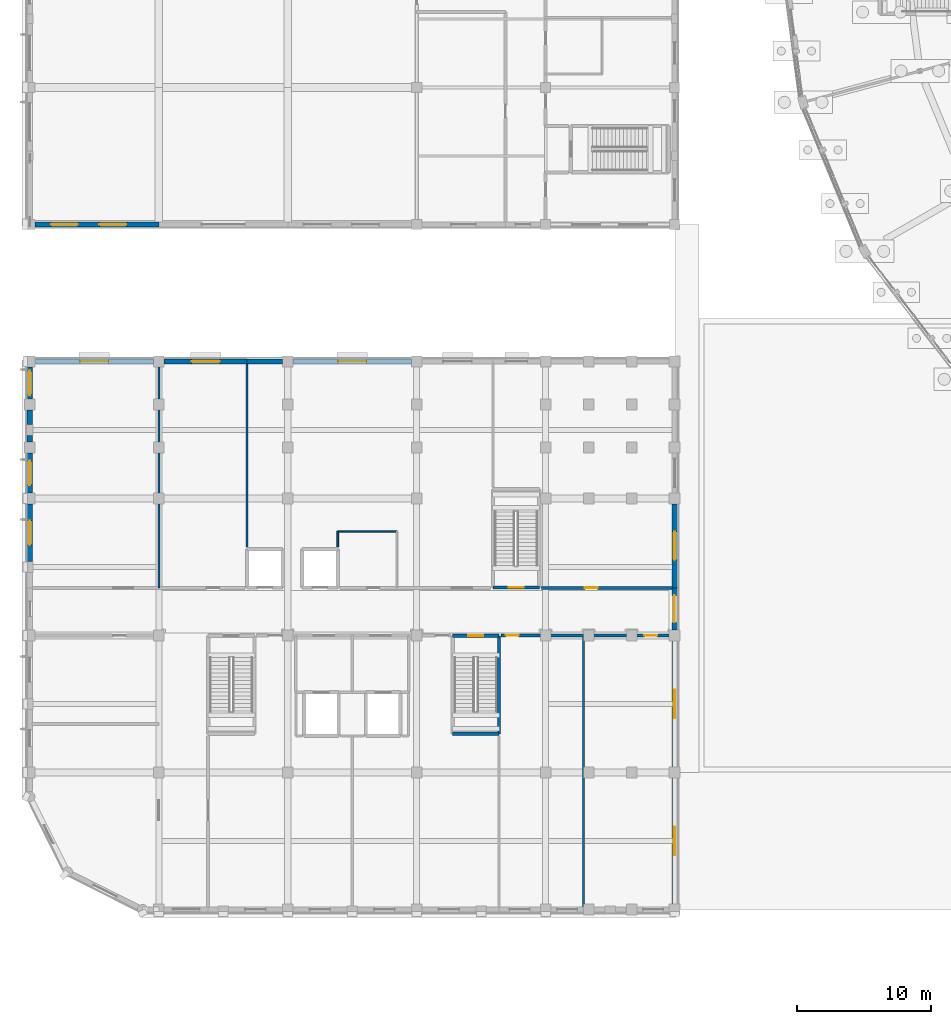
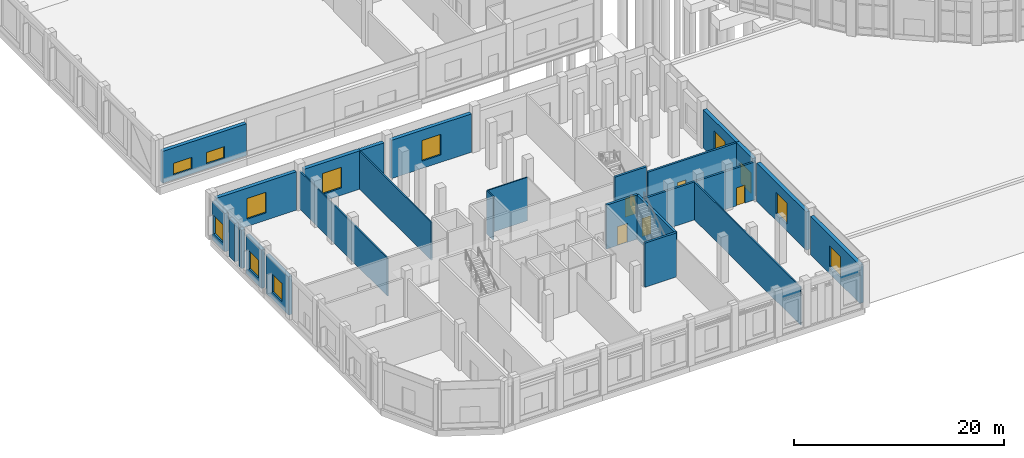
# One storey, part 102 of 137: 25 walls, 11 windows, 6 doors, 17 openings.
"""IFC4 building model written with IfcOpenShell, lengths in metres."""

from ifc_helpers import new_model, si_unit, direction, frame, frame_2d, origin, place, context, subcontext, project, spatial, rectangle, extrude, material, layer, layer_set, type_object, element, fill, save


model = new_model("IFC4")

# Units and contexts
model_context = context("Model", 3, precision=1e-05, world=origin(), true_north=direction((0.0, 1.0)))
body_context = subcontext(model_context, "Body", "Model", "MODEL_VIEW")
ifc_project = project(units=[si_unit("LENGTHUNIT", "METRE"), si_unit("AREAUNIT", "SQUARE_METRE"), si_unit("VOLUMEUNIT", "CUBIC_METRE"), si_unit("PLANEANGLEUNIT", "RADIAN"), si_unit("MASSUNIT", "GRAM", prefix="KILO")], contexts=[model_context])

# Site, building, storey
site_placement = place(None, origin())
site = spatial("IfcSite", under=ifc_project, at=site_placement, CompositionType="ELEMENT")
building_placement = place(site_placement, origin())
building = spatial("IfcBuilding", under=site, at=building_placement, Name="Vondelvale Polytechnic", CompositionType="ELEMENT")
storey_placement = place(building_placement, origin())
storey = spatial("IfcBuildingStorey", under=building, at=storey_placement, Name="L00", CompositionType="ELEMENT", Elevation=0.0)

# Walls
ifc_material_1 = material(Name="Concrete N40 (f'c = 40 MPa)", Category="concrete")
ifc_layer_1 = layer(ifc_material_1, 0.25)
ifc_layer_set_1 = layer_set([ifc_layer_1], Name="WL-CORE-250")
wall_type_1 = type_object("IfcWallType", Name="WL-CORE-250", PredefinedType="SOLIDWALL", material=ifc_layer_set_1)
wall_1_placement = place(storey_placement, frame((31.47509765625, 13.074951171875, 0.0), z_axis=(0.0, 0.0, 1.0), x_axis=(1.0, 0.0, 0.0)))
element("IfcWall", 1, at=wall_1_placement, inside=storey, type_object=wall_type_1, Name="L00 ST-04 reinforced concrete stair core wall", PredefinedType="SOLIDWALL", context=body_context, shape_type="SweptSolid", body=[
    extrude(rectangle(XDim=3.449951171875, YDim=0.25, at=frame_2d((1.72509765625, 0.0))), origin(), (0.0, 0.0, 1.0), 5.1201171875),
])
wall_2_placement = place(storey_placement, frame((34.925048828125, 13.074951171875, 0.0), z_axis=(0.0, 0.0, 1.0), x_axis=(0.0, 1.0, 0.0)))
element("IfcWall", 2, at=wall_2_placement, inside=storey, type_object=wall_type_1, Name="L00 ST-04 reinforced concrete stair core wall", PredefinedType="SOLIDWALL", context=body_context, shape_type="SweptSolid", body=[
    extrude(rectangle(XDim=7.300048828125, YDim=0.25, at=frame_2d((3.64990234375, 0.0))), origin(), (0.0, 0.0, 1.0), 5.1201171875),
])

# Wall, opening, door
wall_3_placement = place(storey_placement, frame((31.47509765625, 20.375, 0.0), z_axis=(0.0, 0.0, 1.0), x_axis=(1.0, 0.0, 0.0)))
wall_3 = element("IfcWall", 3, at=wall_3_placement, inside=storey, type_object=wall_type_1, Name="L00 ST-04 reinforced concrete stair core wall", PredefinedType="SOLIDWALL", context=body_context, shape_type="SweptSolid", body=[
    extrude(rectangle(XDim=3.449951171875, YDim=0.25, at=frame_2d((1.72509765625, 0.0))), origin(), (0.0, 0.0, 1.0), 5.1201171875),
])
opening_1_placement = place(wall_3_placement, frame((1.175048828125, 0.0, 0.0)))
opening_1 = element("IfcOpeningElement", 4, at=opening_1_placement, cuts=wall_3, Name="Opening SD-019", PredefinedType="OPENING", context=body_context, shape_type="SweptSolid", body=[
    extrude(rectangle(XDim=1.10009765625, YDim=2.199951171875, at=frame_2d((0.550048828125, 1.10009765625))), frame((0.0, 0.135009765625, 0.0), z_axis=(0.0, -1.0, 0.0), x_axis=(1.0, 0.0, 0.0)), (0.0, 0.0, 1.0), 0.27001953125),
])
ifc_material_2 = material(Name="Brushed architectural stainless and zinc-coated metal")
door_type_1 = type_object("IfcDoorType", Name="DR-STAIR-1100x2200", OperationType="SINGLE_SWING_LEFT", PredefinedType="DOOR", material=ifc_material_2)
door_1_placement = place(opening_1_placement, origin())
door_1 = element("IfcDoor", 5, at=door_1_placement, inside=storey, type_object=door_type_1, Name="L00 ST-04 fire-isolated stair door", OperationType="SINGLE_SWING_LEFT", OverallHeight=2.199951171875, OverallWidth=1.10009765625, PredefinedType="DOOR", context=body_context, shape_type="SweptSolid", body=[
    extrude(rectangle(XDim=1.10009765625, YDim=2.199951171875, at=frame_2d((0.550048828125, 1.10009765625))), frame((0.0, 0.02490234375, 0.0), z_axis=(0.0, -1.0, 0.0), x_axis=(1.0, 0.0, 0.0)), (0.0, 0.0, 1.0), 0.050048828125),
])
fill(opening_1, door_1)

wall_4_placement = place(storey_placement, frame((37.925048828125, 23.97509765625, 0.0), z_axis=(0.0, 0.0, 1.0), x_axis=(-1.0, 0.0, 0.0)))
wall_4 = element("IfcWall", 6, at=wall_4_placement, inside=storey, type_object=wall_type_1, Name="L00 ST-05 reinforced concrete stair core wall", PredefinedType="SOLIDWALL", context=body_context, shape_type="SweptSolid", body=[
    extrude(rectangle(XDim=3.449951171875, YDim=0.25, at=frame_2d((1.72509765625, 0.0))), origin(), (0.0, 0.0, 1.0), 5.1201171875),
])
opening_2_placement = place(wall_4_placement, frame((1.175048828125, 0.0, 0.0)))
opening_2 = element("IfcOpeningElement", 7, at=opening_2_placement, cuts=wall_4, Name="Opening SD-028", PredefinedType="OPENING", context=body_context, shape_type="SweptSolid", body=[
    extrude(rectangle(XDim=1.10009765625, YDim=2.199951171875, at=frame_2d((0.550048828125, 1.10009765625))), frame((0.0, 0.135009765625, 0.0), z_axis=(0.0, -1.0, 0.0), x_axis=(1.0, 0.0, 0.0)), (0.0, 0.0, 1.0), 0.27001953125),
])
door_2_placement = place(opening_2_placement, origin())
door_2 = element("IfcDoor", 8, at=door_2_placement, inside=storey, type_object=door_type_1, Name="L00 ST-05 fire-isolated stair door", OperationType="SINGLE_SWING_RIGHT", OverallHeight=2.199951171875, OverallWidth=1.10009765625, PredefinedType="DOOR", context=body_context, shape_type="SweptSolid", body=[
    extrude(rectangle(XDim=1.10009765625, YDim=2.199951171875, at=frame_2d((0.550048828125, 1.10009765625))), frame((0.0, 0.02490234375, 0.0), z_axis=(0.0, -1.0, 0.0), x_axis=(1.0, 0.0, 0.0)), (0.0, 0.0, 1.0), 0.050048828125),
])
fill(opening_2, door_2)

# Wall, openings, doors
ifc_material_3 = material(Name="Fire-rated double-layer plasterboard stud partition")
ifc_layer_2 = layer(ifc_material_3, 0.219970703125)
ifc_layer_set_2 = layer_set([ifc_layer_2], Name="WL-CORR-220")
wall_type_2 = type_object("IfcWallType", Name="WL-CORR-220", PredefinedType="PARTITIONING", material=ifc_layer_set_2)
wall_5_placement = place(storey_placement, frame((35.090087890625, 20.39990234375, 0.0), z_axis=(0.0, 0.0, 1.0), x_axis=(1.0, 0.0, 0.0)))
wall_5 = element("IfcWall", 9, at=wall_5_placement, inside=storey, type_object=wall_type_2, Name="L00 interior acoustic partition", PredefinedType="PARTITIONING", context=body_context, shape_type="SweptSolid", body=[
    extrude(rectangle(XDim=12.760009765625, YDim=0.219970703125, at=frame_2d((6.3798828125, 0.0))), origin(), (0.0, 0.0, 1.0), 4.39990234375),
])
opening_3_placement = place(wall_5_placement, frame((0.35498046875, 0.0, 0.0)))
opening_3 = element("IfcOpeningElement", 10, at=opening_3_placement, cuts=wall_5, Name="Opening ID-0142", PredefinedType="OPENING", context=body_context, shape_type="SweptSolid", body=[
    extrude(rectangle(XDim=0.949951171875, YDim=2.10009765625, at=frame_2d((0.47509765625, 1.050048828125))), frame((0.0, 0.119873046875, 0.0), z_axis=(0.0, -1.0, 0.0), x_axis=(1.0, 0.0, 0.0)), (0.0, 0.0, 1.0), 0.239990234375),
])
opening_4_placement = place(wall_5_placement, frame((10.659912109375, 0.0, 0.0)))
opening_4 = element("IfcOpeningElement", 11, at=opening_4_placement, cuts=wall_5, Name="Opening ID-0143", PredefinedType="OPENING", context=body_context, shape_type="SweptSolid", body=[
    extrude(rectangle(XDim=0.949951171875, YDim=2.10009765625, at=frame_2d((0.47509765625, 1.050048828125))), frame((0.0, 0.119873046875, 0.0), z_axis=(0.0, -1.0, 0.0), x_axis=(1.0, 0.0, 0.0)), (0.0, 0.0, 1.0), 0.239990234375),
])
ifc_material_4 = material(Name="Fire-rated solid Tasmanian oak joinery")
door_type_2 = type_object("IfcDoorType", Name="DR-INT-0950x2100", OperationType="SINGLE_SWING_LEFT", PredefinedType="DOOR", material=ifc_material_4)
door_3_placement = place(opening_3_placement, origin())
door_3 = element("IfcDoor", 12, at=door_3_placement, inside=storey, type_object=door_type_2, Name="L00 interior room door ID-0142", OperationType="SINGLE_SWING_RIGHT", OverallHeight=2.10009765625, OverallWidth=0.949951171875, PredefinedType="DOOR", context=body_context, shape_type="SweptSolid", body=[
    extrude(rectangle(XDim=0.949951171875, YDim=2.10009765625, at=frame_2d((0.47509765625, 1.050048828125))), frame((0.0, 0.02490234375, 0.0), z_axis=(0.0, -1.0, 0.0), x_axis=(1.0, 0.0, 0.0)), (0.0, 0.0, 1.0), 0.050048828125),
])
fill(opening_3, door_3)
door_4_placement = place(opening_4_placement, origin())
door_4 = element("IfcDoor", 13, at=door_4_placement, inside=storey, type_object=door_type_2, Name="L00 interior room door ID-0143", OperationType="SINGLE_SWING_LEFT", OverallHeight=2.10009765625, OverallWidth=0.949951171875, PredefinedType="DOOR", context=body_context, shape_type="SweptSolid", body=[
    extrude(rectangle(XDim=0.949951171875, YDim=2.10009765625, at=frame_2d((0.47509765625, 1.050048828125))), frame((0.0, 0.02490234375, 0.0), z_axis=(0.0, -1.0, 0.0), x_axis=(1.0, 0.0, 0.0)), (0.0, 0.0, 1.0), 0.050048828125),
])
fill(opening_4, door_4)

# Wall, opening, door
wall_6_placement = place(storey_placement, frame((38.090087890625, 23.949951171875, 0.0), z_axis=(0.0, 0.0, 1.0), x_axis=(1.0, 0.0, 0.0)))
wall_6 = element("IfcWall", 14, at=wall_6_placement, inside=storey, type_object=wall_type_2, Name="L00 interior acoustic partition", PredefinedType="PARTITIONING", context=body_context, shape_type="SweptSolid", body=[
    extrude(rectangle(XDim=9.760009765625, YDim=0.219970703125, at=frame_2d((4.8798828125, 0.0))), origin(), (0.0, 0.0, 1.0), 4.449951171875),
])
opening_5_placement = place(wall_6_placement, frame((3.235107421875, 0.0, 0.0)))
opening_5 = element("IfcOpeningElement", 15, at=opening_5_placement, cuts=wall_6, Name="Opening ID-0148", PredefinedType="OPENING", context=body_context, shape_type="SweptSolid", body=[
    extrude(rectangle(XDim=0.949951171875, YDim=2.10009765625, at=frame_2d((0.47509765625, 1.050048828125))), frame((0.0, 0.119873046875, 0.0), z_axis=(0.0, -1.0, 0.0), x_axis=(1.0, 0.0, 0.0)), (0.0, 0.0, 1.0), 0.239990234375),
])
door_5_placement = place(opening_5_placement, origin())
door_5 = element("IfcDoor", 16, at=door_5_placement, inside=storey, type_object=door_type_2, Name="L00 interior room door ID-0148", OperationType="SINGLE_SWING_RIGHT", OverallHeight=2.10009765625, OverallWidth=0.949951171875, PredefinedType="DOOR", context=body_context, shape_type="SweptSolid", body=[
    extrude(rectangle(XDim=0.949951171875, YDim=2.10009765625, at=frame_2d((0.47509765625, 1.050048828125))), frame((0.0, 0.02490234375, 0.0), z_axis=(0.0, -1.0, 0.0), x_axis=(1.0, 0.0, 0.0)), (0.0, 0.0, 1.0), 0.050048828125),
])
fill(opening_5, door_5)

# Walls
ifc_layer_3 = layer(ifc_material_3, 0.1201171875)
ifc_layer_set_3 = layer_set([ifc_layer_3], Name="WL-INT-120")
wall_type_3 = type_object("IfcWallType", Name="WL-INT-120", PredefinedType="PARTITIONING", material=ifc_layer_set_3)
wall_7_placement = place(storey_placement, frame((22.925048828125, 26.989990234375, 0.0), z_axis=(0.0, 0.0, 1.0), x_axis=(0.0, 1.0, 0.0)))
element("IfcWall", 17, at=wall_7_placement, inside=storey, type_object=wall_type_3, Name="L00 interior acoustic partition", PredefinedType="PARTITIONING", context=body_context, shape_type="SweptSolid", body=[
    extrude(rectangle(XDim=1.159912109375, YDim=0.1201171875, at=frame_2d((0.580078125, 0.0))), origin(), (0.0, 0.0, 1.0), 5.050048828125),
])
wall_8_placement = place(storey_placement, frame((22.925048828125, 28.14990234375, 0.0), z_axis=(0.0, 0.0, 1.0), x_axis=(1.0, 0.0, 0.0)))
element("IfcWall", 18, at=wall_8_placement, inside=storey, type_object=wall_type_3, Name="L00 interior acoustic partition", PredefinedType="PARTITIONING", context=body_context, shape_type="SweptSolid", body=[
    extrude(rectangle(XDim=4.39990234375, YDim=0.1201171875, at=frame_2d((2.199951171875, 0.0))), origin(), (0.0, 0.0, 1.0), 5.050048828125),
])
ifc_layer_4 = layer(ifc_material_3, 0.14990234375)
ifc_layer_set_4 = layer_set([ifc_layer_4], Name="WL-INT-150")
wall_type_4 = type_object("IfcWallType", Name="WL-INT-150", PredefinedType="PARTITIONING", material=ifc_layer_set_4)
wall_9_placement = place(storey_placement, frame((41.199951171875, 0.14990234375, 0.0), z_axis=(0.0, 0.0, 1.0), x_axis=(0.0, 1.0, 0.0)))
element("IfcWall", 19, at=wall_9_placement, inside=storey, type_object=wall_type_4, Name="L00 interior acoustic partition", PredefinedType="PARTITIONING", context=body_context, shape_type="SweptSolid", body=[
    extrude(rectangle(XDim=20.25, YDim=0.14990234375, at=frame_2d((10.125, 0.0))), origin(), (0.0, 0.0, 1.0), 4.39990234375),
])
wall_10_placement = place(storey_placement, frame((9.60009765625, 23.949951171875, 0.0), z_axis=(0.0, 0.0, 1.0), x_axis=(0.0, 1.0, 0.0)))
element("IfcWall", 20, at=wall_10_placement, inside=storey, type_object=wall_type_4, Name="L00 interior acoustic partition", PredefinedType="PARTITIONING", context=body_context, shape_type="SweptSolid", body=[
    extrude(rectangle(XDim=16.699951171875, YDim=0.14990234375, at=frame_2d((8.35009765625, 0.0))), origin(), (0.0, 0.0, 1.0), 4.39990234375),
])
wall_11_placement = place(storey_placement, frame((16.175048828125, 26.989990234375, 0.0), z_axis=(0.0, 0.0, 1.0), x_axis=(0.0, 1.0, 0.0)))
element("IfcWall", 21, at=wall_11_placement, inside=storey, type_object=wall_type_4, Name="L00 interior acoustic partition", PredefinedType="PARTITIONING", context=body_context, shape_type="SweptSolid", body=[
    extrude(rectangle(XDim=13.659912109375, YDim=0.14990234375, at=frame_2d((6.830078125, 0.0))), origin(), (0.0, 0.0, 1.0), 4.39990234375),
])

# Wall, openings, windows
ifc_material_5 = material(Name="Malmsbury bluestone ashlar stone masonry", Category="masonry")
ifc_layer_5 = layer(ifc_material_5, 0.39990234375)
ifc_layer_set_5 = layer_set([ifc_layer_5], Name="WL-PLINTH-400")
wall_type_5 = type_object("IfcWallType", Name="WL-PLINTH-400", PredefinedType="SOLIDWALL", material=ifc_layer_set_5)
wall_12_placement = place(storey_placement, frame((9.60009765625, 51.0, 0.0), z_axis=(0.0, 0.0, 1.0), x_axis=(-1.0, 0.0, 0.0)))
wall_12 = element("IfcWall", 22, at=wall_12_placement, inside=storey, type_object=wall_type_5, Name="L00 exterior masonry facade wall", PredefinedType="SOLIDWALL", context=body_context, shape_type="SweptSolid", body=[
    extrude(rectangle(XDim=9.22412109375, YDim=0.39990234375, at=frame_2d((4.612060546875, 0.0))), origin(), (0.0, 0.0, 1.0), 3.699951171875),
])
opening_6_placement = place(wall_12_placement, frame((6.02392578125, 0.0, 0.550048828125)))
opening_6 = element("IfcOpeningElement", 23, at=opening_6_placement, cuts=wall_12, Name="Opening WN-0025", PredefinedType="OPENING", context=body_context, shape_type="SweptSolid", body=[
    extrude(rectangle(XDim=2.0, YDim=1.35009765625, at=frame_2d((1.0, 0.675048828125))), frame((0.0, 0.2099609375, 0.0), z_axis=(0.0, -1.0, 0.0), x_axis=(1.0, 0.0, 0.0)), (0.0, 0.0, 1.0), 0.419921875),
])
opening_7_placement = place(wall_12_placement, frame((2.424072265625, 0.0, 0.550048828125)))
opening_7 = element("IfcOpeningElement", 24, at=opening_7_placement, cuts=wall_12, Name="Opening WN-0026", PredefinedType="OPENING", context=body_context, shape_type="SweptSolid", body=[
    extrude(rectangle(XDim=2.0, YDim=1.35009765625, at=frame_2d((1.0, 0.675048828125))), frame((0.0, 0.2099609375, 0.0), z_axis=(0.0, -1.0, 0.0), x_axis=(1.0, 0.0, 0.0)), (0.0, 0.0, 1.0), 0.419921875),
])
ifc_material_6 = material(Name="Double-glazed low-E insulated architectural glass", Category="glass")
window_type_1 = type_object("IfcWindowType", Name="WN-RIB-2000x1350", PartitioningType="SINGLE_PANEL", PredefinedType="WINDOW", material=ifc_material_6)
window_1_placement = place(opening_6_placement, origin())
window_1 = element("IfcWindow", 25, at=window_1_placement, inside=storey, type_object=window_type_1, Name="L00 double-glazed architectural window WN-0025", OverallHeight=1.35009765625, OverallWidth=2.0, PartitioningType="SINGLE_PANEL", PredefinedType="WINDOW", context=body_context, shape_type="SweptSolid", body=[
    extrude(rectangle(XDim=2.0, YDim=1.35009765625, at=frame_2d((1.0, 0.675048828125))), frame((0.0, 0.030029296875, 0.0), z_axis=(0.0, -1.0, 0.0), x_axis=(1.0, 0.0, 0.0)), (0.0, 0.0, 1.0), 0.06005859375),
])
fill(opening_6, window_1)
window_2_placement = place(opening_7_placement, origin())
window_2 = element("IfcWindow", 26, at=window_2_placement, inside=storey, type_object=window_type_1, Name="L00 double-glazed architectural window WN-0026", OverallHeight=1.35009765625, OverallWidth=2.0, PartitioningType="SINGLE_PANEL", PredefinedType="WINDOW", context=body_context, shape_type="SweptSolid", body=[
    extrude(rectangle(XDim=2.0, YDim=1.35009765625, at=frame_2d((1.0, 0.675048828125))), frame((0.0, 0.030029296875, 0.0), z_axis=(0.0, -1.0, 0.0), x_axis=(1.0, 0.0, 0.0)), (0.0, 0.0, 1.0), 0.06005859375),
])
fill(opening_7, window_2)

# Wall, opening, window
wall_13_placement = place(storey_placement, frame((0.0, 25.90087890625, 0.0), z_axis=(0.0, 0.0, 1.0), x_axis=(0.0, 1.0, 0.0)))
wall_13 = element("IfcWall", 27, at=wall_13_placement, inside=storey, type_object=wall_type_5, Name="L00 exterior masonry facade wall", PredefinedType="SOLIDWALL", context=body_context, shape_type="SweptSolid", body=[
    extrude(rectangle(XDim=4.298095703125, YDim=0.39990234375, at=frame_2d((2.14892578125, 0.0))), origin(), (0.0, 0.0, 1.0), 4.449951171875),
])
opening_8_placement = place(wall_13_placement, frame((1.2490234375, 0.0, 0.85009765625)))
opening_8 = element("IfcOpeningElement", 28, at=opening_8_placement, cuts=wall_13, Name="Opening WN-0144", PredefinedType="OPENING", context=body_context, shape_type="SweptSolid", body=[
    extrude(rectangle(XDim=1.800048828125, YDim=2.10009765625, at=frame_2d((0.89990234375, 1.050048828125))), frame((0.0, 0.2099609375, 0.0), z_axis=(0.0, -1.0, 0.0), x_axis=(1.0, 0.0, 0.0)), (0.0, 0.0, 1.0), 0.419921875),
])
window_type_2 = type_object("IfcWindowType", Name="WN-LAB-1800x2100", PartitioningType="SINGLE_PANEL", PredefinedType="WINDOW", material=ifc_material_6)
window_3_placement = place(opening_8_placement, origin())
window_3 = element("IfcWindow", 29, at=window_3_placement, inside=storey, type_object=window_type_2, Name="L00 double-glazed architectural window WN-0144", OverallHeight=2.10009765625, OverallWidth=1.800048828125, PartitioningType="SINGLE_PANEL", PredefinedType="WINDOW", context=body_context, shape_type="SweptSolid", body=[
    extrude(rectangle(XDim=1.800048828125, YDim=2.10009765625, at=frame_2d((0.89990234375, 1.050048828125))), frame((0.0, 0.030029296875, 0.0), z_axis=(0.0, -1.0, 0.0), x_axis=(1.0, 0.0, 0.0)), (0.0, 0.0, 1.0), 0.06005859375),
])
fill(opening_8, window_3)

wall_14_placement = place(storey_placement, frame((0.0, 31.0009765625, 0.0), z_axis=(0.0, 0.0, 1.0), x_axis=(0.0, 1.0, 0.0)))
wall_14 = element("IfcWall", 30, at=wall_14_placement, inside=storey, type_object=wall_type_5, Name="L00 exterior masonry facade wall", PredefinedType="SOLIDWALL", context=body_context, shape_type="SweptSolid", body=[
    extrude(rectangle(XDim=2.998046875, YDim=0.39990234375, at=frame_2d((1.4990234375, 0.0))), origin(), (0.0, 0.0, 1.0), 4.449951171875),
])
opening_9_placement = place(wall_14_placement, frame((0.59912109375, 0.0, 0.85009765625)))
opening_9 = element("IfcOpeningElement", 31, at=opening_9_placement, cuts=wall_14, Name="Opening WN-0145", PredefinedType="OPENING", context=body_context, shape_type="SweptSolid", body=[
    extrude(rectangle(XDim=1.800048828125, YDim=2.10009765625, at=frame_2d((0.89990234375, 1.050048828125))), frame((0.0, 0.2099609375, 0.0), z_axis=(0.0, -1.0, 0.0), x_axis=(1.0, 0.0, 0.0)), (0.0, 0.0, 1.0), 0.419921875),
])
window_4_placement = place(opening_9_placement, origin())
window_4 = element("IfcWindow", 32, at=window_4_placement, inside=storey, type_object=window_type_2, Name="L00 double-glazed architectural window WN-0145", OverallHeight=2.10009765625, OverallWidth=1.800048828125, PartitioningType="SINGLE_PANEL", PredefinedType="WINDOW", context=body_context, shape_type="SweptSolid", body=[
    extrude(rectangle(XDim=1.800048828125, YDim=2.10009765625, at=frame_2d((0.89990234375, 1.050048828125))), frame((0.0, 0.030029296875, 0.0), z_axis=(0.0, -1.0, 0.0), x_axis=(1.0, 0.0, 0.0)), (0.0, 0.0, 1.0), 0.06005859375),
])
fill(opening_9, window_4)

# Walls
wall_15_placement = place(storey_placement, frame((0.0, 34.801025390625, 0.0), z_axis=(0.0, 0.0, 1.0), x_axis=(0.0, 1.0, 0.0)))
element("IfcWall", 33, at=wall_15_placement, inside=storey, type_object=wall_type_5, Name="L00 exterior masonry facade wall", PredefinedType="SOLIDWALL", context=body_context, shape_type="SweptSolid", body=[
    extrude(rectangle(XDim=0.498046875, YDim=0.39990234375, at=frame_2d((0.2490234375, 0.0))), origin(), (0.0, 0.0, 1.0), 4.449951171875),
])
wall_16_placement = place(storey_placement, frame((0.0, 36.10107421875, 0.0), z_axis=(0.0, 0.0, 1.0), x_axis=(0.0, 1.0, 0.0)))
element("IfcWall", 34, at=wall_16_placement, inside=storey, type_object=wall_type_5, Name="L00 exterior masonry facade wall", PredefinedType="SOLIDWALL", context=body_context, shape_type="SweptSolid", body=[
    extrude(rectangle(XDim=1.097900390625, YDim=0.39990234375, at=frame_2d((0.548828125, 0.0))), origin(), (0.0, 0.0, 1.0), 4.449951171875),
])

# Wall, opening, window
wall_17_placement = place(storey_placement, frame((0.0, 38.0009765625, 0.0), z_axis=(0.0, 0.0, 1.0), x_axis=(0.0, 1.0, 0.0)))
wall_17 = element("IfcWall", 35, at=wall_17_placement, inside=storey, type_object=wall_type_5, Name="L00 exterior masonry facade wall", PredefinedType="SOLIDWALL", context=body_context, shape_type="SweptSolid", body=[
    extrude(rectangle(XDim=2.39794921875, YDim=0.39990234375, at=frame_2d((1.198974609375, 0.0))), origin(), (0.0, 0.0, 1.0), 4.449951171875),
])
opening_10_placement = place(wall_17_placement, frame((0.299072265625, 0.0, 0.85009765625)))
opening_10 = element("IfcOpeningElement", 36, at=opening_10_placement, cuts=wall_17, Name="Opening WN-0146", PredefinedType="OPENING", context=body_context, shape_type="SweptSolid", body=[
    extrude(rectangle(XDim=1.800048828125, YDim=2.10009765625, at=frame_2d((0.89990234375, 1.050048828125))), frame((0.0, 0.2099609375, 0.0), z_axis=(0.0, -1.0, 0.0), x_axis=(1.0, 0.0, 0.0)), (0.0, 0.0, 1.0), 0.419921875),
])
window_5_placement = place(opening_10_placement, origin())
window_5 = element("IfcWindow", 37, at=window_5_placement, inside=storey, type_object=window_type_2, Name="L00 double-glazed architectural window WN-0146", OverallHeight=2.10009765625, OverallWidth=1.800048828125, PartitioningType="SINGLE_PANEL", PredefinedType="WINDOW", context=body_context, shape_type="SweptSolid", body=[
    extrude(rectangle(XDim=1.800048828125, YDim=2.10009765625, at=frame_2d((0.89990234375, 1.050048828125))), frame((0.0, 0.030029296875, 0.0), z_axis=(0.0, -1.0, 0.0), x_axis=(1.0, 0.0, 0.0)), (0.0, 0.0, 1.0), 0.06005859375),
])
fill(opening_10, window_5)

wall_18_placement = place(storey_placement, frame((48.0, 9.799072265625, 0.0), z_axis=(0.0, 0.0, 1.0), x_axis=(0.0, -1.0, 0.0)))
wall_18 = element("IfcWall", 38, at=wall_18_placement, inside=storey, type_object=wall_type_5, Name="L00 exterior masonry facade wall", PredefinedType="SOLIDWALL", context=body_context, shape_type="SweptSolid", body=[
    extrude(rectangle(XDim=9.398193359375, YDim=0.39990234375, at=frame_2d((4.69921875, 0.0))), origin(), (0.0, 0.0, 1.0), 4.449951171875),
])
opening_11_placement = place(wall_18_placement, frame((3.64892578125, 0.0, 0.85009765625)))
opening_11 = element("IfcOpeningElement", 39, at=opening_11_placement, cuts=wall_18, Name="Opening WN-0147", PredefinedType="OPENING", context=body_context, shape_type="SweptSolid", body=[
    extrude(rectangle(XDim=2.10009765625, YDim=2.39990234375, at=frame_2d((1.050048828125, 1.199951171875))), frame((0.0, 0.2099609375, 0.0), z_axis=(0.0, -1.0, 0.0), x_axis=(1.0, 0.0, 0.0)), (0.0, 0.0, 1.0), 0.419921875),
])
window_type_3 = type_object("IfcWindowType", Name="WN-STUDIO-2100x2400", PartitioningType="SINGLE_PANEL", PredefinedType="WINDOW", material=ifc_material_6)
window_6_placement = place(opening_11_placement, origin())
window_6 = element("IfcWindow", 40, at=window_6_placement, inside=storey, type_object=window_type_3, Name="L00 double-glazed architectural window WN-0147", OverallHeight=2.39990234375, OverallWidth=2.10009765625, PartitioningType="SINGLE_PANEL", PredefinedType="WINDOW", context=body_context, shape_type="SweptSolid", body=[
    extrude(rectangle(XDim=2.10009765625, YDim=2.39990234375, at=frame_2d((1.050048828125, 1.199951171875))), frame((0.0, 0.030029296875, 0.0), z_axis=(0.0, -1.0, 0.0), x_axis=(1.0, 0.0, 0.0)), (0.0, 0.0, 1.0), 0.06005859375),
])
fill(opening_11, window_6)

wall_19_placement = place(storey_placement, frame((48.0, 19.9990234375, 0.0), z_axis=(0.0, 0.0, 1.0), x_axis=(0.0, -1.0, 0.0)))
wall_19 = element("IfcWall", 41, at=wall_19_placement, inside=storey, type_object=wall_type_5, Name="L00 exterior masonry facade wall", PredefinedType="SOLIDWALL", context=body_context, shape_type="SweptSolid", body=[
    extrude(rectangle(XDim=9.39794921875, YDim=0.39990234375, at=frame_2d((4.698974609375, 0.0))), origin(), (0.0, 0.0, 1.0), 4.449951171875),
])
opening_12_placement = place(wall_19_placement, frame((3.64892578125, 0.0, 0.85009765625)))
opening_12 = element("IfcOpeningElement", 42, at=opening_12_placement, cuts=wall_19, Name="Opening WN-0148", PredefinedType="OPENING", context=body_context, shape_type="SweptSolid", body=[
    extrude(rectangle(XDim=2.10009765625, YDim=2.39990234375, at=frame_2d((1.050048828125, 1.199951171875))), frame((0.0, 0.2099609375, 0.0), z_axis=(0.0, -1.0, 0.0), x_axis=(1.0, 0.0, 0.0)), (0.0, 0.0, 1.0), 0.419921875),
])
window_7_placement = place(opening_12_placement, origin())
window_7 = element("IfcWindow", 43, at=window_7_placement, inside=storey, type_object=window_type_3, Name="L00 double-glazed architectural window WN-0148", OverallHeight=2.39990234375, OverallWidth=2.10009765625, PartitioningType="SINGLE_PANEL", PredefinedType="WINDOW", context=body_context, shape_type="SweptSolid", body=[
    extrude(rectangle(XDim=2.10009765625, YDim=2.39990234375, at=frame_2d((1.050048828125, 1.199951171875))), frame((0.0, 0.030029296875, 0.0), z_axis=(0.0, -1.0, 0.0), x_axis=(1.0, 0.0, 0.0)), (0.0, 0.0, 1.0), 0.06005859375),
])
fill(opening_12, window_7)

# Wall, opening, door
wall_20_placement = place(storey_placement, frame((48.0, 23.949951171875, 0.0), z_axis=(0.0, 0.0, 1.0), x_axis=(0.0, -1.0, 0.0)))
wall_20 = element("IfcWall", 44, at=wall_20_placement, inside=storey, type_object=wall_type_5, Name="L00 exterior masonry facade wall", PredefinedType="SOLIDWALL", context=body_context, shape_type="SweptSolid", body=[
    extrude(rectangle(XDim=3.14892578125, YDim=0.39990234375, at=frame_2d((1.574462890625, 0.0))), origin(), (0.0, 0.0, 1.0), 4.449951171875),
])
opening_13_placement = place(wall_20_placement, frame((0.574462890625, 0.0, 0.0)))
opening_13 = element("IfcOpeningElement", 45, at=opening_13_placement, cuts=wall_20, Name="Opening ED-010", PredefinedType="OPENING", context=body_context, shape_type="SweptSolid", body=[
    extrude(rectangle(XDim=2.0, YDim=2.39990234375, at=frame_2d((1.0, 1.199951171875))), frame((0.0, 0.2099609375, 0.0), z_axis=(0.0, -1.0, 0.0), x_axis=(1.0, 0.0, 0.0)), (0.0, 0.0, 1.0), 0.419921875),
])
ifc_material_7 = material(Name="Anodised extruded aluminium 6063-T6", Category="aluminium")
door_type_3 = type_object("IfcDoorType", Name="DR-EXT-2000x2400", OperationType="DOUBLE_DOOR_SINGLE_SWING", PredefinedType="DOOR", material=ifc_material_7)
door_6_placement = place(opening_13_placement, origin())
door_6 = element("IfcDoor", 46, at=door_6_placement, inside=storey, type_object=door_type_3, Name="L00 exterior entrance/exit door ED-010", OperationType="DOUBLE_DOOR_SINGLE_SWING", OverallHeight=2.39990234375, OverallWidth=2.0, PredefinedType="DOOR", context=body_context, shape_type="SweptSolid", body=[
    extrude(rectangle(XDim=2.0, YDim=2.39990234375, at=frame_2d((1.0, 1.199951171875))), frame((0.0, 0.02490234375, 0.0), z_axis=(0.0, -1.0, 0.0), x_axis=(1.0, 0.0, 0.0)), (0.0, 0.0, 1.0), 0.050048828125),
])
fill(opening_13, door_6)

# Wall, opening, window
wall_21_placement = place(storey_placement, frame((48.0, 30.198974609375, 0.0), z_axis=(0.0, 0.0, 1.0), x_axis=(0.0, -1.0, 0.0)))
wall_21 = element("IfcWall", 47, at=wall_21_placement, inside=storey, type_object=wall_type_5, Name="L00 exterior masonry facade wall", PredefinedType="SOLIDWALL", context=body_context, shape_type="SweptSolid", body=[
    extrude(rectangle(XDim=6.2490234375, YDim=0.39990234375, at=frame_2d((3.12451171875, 0.0))), origin(), (0.0, 0.0, 1.0), 4.449951171875),
])
opening_14_placement = place(wall_21_placement, frame((2.074462890625, 0.0, 0.85009765625)))
opening_14 = element("IfcOpeningElement", 48, at=opening_14_placement, cuts=wall_21, Name="Opening WN-0149", PredefinedType="OPENING", context=body_context, shape_type="SweptSolid", body=[
    extrude(rectangle(XDim=2.10009765625, YDim=2.39990234375, at=frame_2d((1.050048828125, 1.199951171875))), frame((0.0, 0.2099609375, 0.0), z_axis=(0.0, -1.0, 0.0), x_axis=(1.0, 0.0, 0.0)), (0.0, 0.0, 1.0), 0.419921875),
])
window_8_placement = place(opening_14_placement, origin())
window_8 = element("IfcWindow", 49, at=window_8_placement, inside=storey, type_object=window_type_3, Name="L00 double-glazed architectural window WN-0149", OverallHeight=2.39990234375, OverallWidth=2.10009765625, PartitioningType="SINGLE_PANEL", PredefinedType="WINDOW", context=body_context, shape_type="SweptSolid", body=[
    extrude(rectangle(XDim=2.10009765625, YDim=2.39990234375, at=frame_2d((1.050048828125, 1.199951171875))), frame((0.0, 0.030029296875, 0.0), z_axis=(0.0, -1.0, 0.0), x_axis=(1.0, 0.0, 0.0)), (0.0, 0.0, 1.0), 0.06005859375),
])
fill(opening_14, window_8)

wall_22_placement = place(storey_placement, frame((0.40087890625, 40.800048828125, 0.0), z_axis=(0.0, 0.0, 1.0), x_axis=(1.0, 0.0, 0.0)))
wall_22 = element("IfcWall", 50, at=wall_22_placement, inside=storey, type_object=wall_type_5, Name="L00 exterior masonry facade wall", PredefinedType="SOLIDWALL", context=body_context, shape_type="SweptSolid", body=[
    extrude(rectangle(XDim=8.798095703125, YDim=0.39990234375, at=frame_2d((4.39892578125, 0.0))), origin(), (0.0, 0.0, 1.0), 4.449951171875),
])
opening_15_placement = place(wall_22_placement, frame((3.34912109375, 0.0, 0.85009765625)))
opening_15 = element("IfcOpeningElement", 51, at=opening_15_placement, cuts=wall_22, Name="Opening WN-0151", PredefinedType="OPENING", context=body_context, shape_type="SweptSolid", body=[
    extrude(rectangle(XDim=2.10009765625, YDim=2.39990234375, at=frame_2d((1.050048828125, 1.199951171875))), frame((0.0, 0.2099609375, 0.0), z_axis=(0.0, -1.0, 0.0), x_axis=(1.0, 0.0, 0.0)), (0.0, 0.0, 1.0), 0.419921875),
])
window_9_placement = place(opening_15_placement, origin())
window_9 = element("IfcWindow", 52, at=window_9_placement, inside=storey, type_object=window_type_3, Name="L00 double-glazed architectural window WN-0151", OverallHeight=2.39990234375, OverallWidth=2.10009765625, PartitioningType="SINGLE_PANEL", PredefinedType="WINDOW", context=body_context, shape_type="SweptSolid", body=[
    extrude(rectangle(XDim=2.10009765625, YDim=2.39990234375, at=frame_2d((1.050048828125, 1.199951171875))), frame((0.0, 0.030029296875, 0.0), z_axis=(0.0, -1.0, 0.0), x_axis=(1.0, 0.0, 0.0)), (0.0, 0.0, 1.0), 0.06005859375),
])
fill(opening_15, window_9)

wall_23_placement = place(storey_placement, frame((10.0009765625, 40.800048828125, 0.0), z_axis=(0.0, 0.0, 1.0), x_axis=(1.0, 0.0, 0.0)))
wall_23 = element("IfcWall", 53, at=wall_23_placement, inside=storey, type_object=wall_type_5, Name="L00 exterior masonry facade wall", PredefinedType="SOLIDWALL", context=body_context, shape_type="SweptSolid", body=[
    extrude(rectangle(XDim=6.174072265625, YDim=0.39990234375, at=frame_2d((3.0869140625, 0.0))), origin(), (0.0, 0.0, 1.0), 4.449951171875),
])
opening_16_placement = place(wall_23_placement, frame((2.037109375, 0.0, 0.85009765625)))
opening_16 = element("IfcOpeningElement", 54, at=opening_16_placement, cuts=wall_23, Name="Opening WN-0152", PredefinedType="OPENING", context=body_context, shape_type="SweptSolid", body=[
    extrude(rectangle(XDim=2.10009765625, YDim=2.39990234375, at=frame_2d((1.050048828125, 1.199951171875))), frame((0.0, 0.2099609375, 0.0), z_axis=(0.0, -1.0, 0.0), x_axis=(1.0, 0.0, 0.0)), (0.0, 0.0, 1.0), 0.419921875),
])
window_10_placement = place(opening_16_placement, origin())
window_10 = element("IfcWindow", 55, at=window_10_placement, inside=storey, type_object=window_type_3, Name="L00 double-glazed architectural window WN-0152", OverallHeight=2.39990234375, OverallWidth=2.10009765625, PartitioningType="SINGLE_PANEL", PredefinedType="WINDOW", context=body_context, shape_type="SweptSolid", body=[
    extrude(rectangle(XDim=2.10009765625, YDim=2.39990234375, at=frame_2d((1.050048828125, 1.199951171875))), frame((0.0, 0.030029296875, 0.0), z_axis=(0.0, -1.0, 0.0), x_axis=(1.0, 0.0, 0.0)), (0.0, 0.0, 1.0), 0.06005859375),
])
fill(opening_16, window_10)

# Wall
wall_24_placement = place(storey_placement, frame((16.175048828125, 40.800048828125, 0.0), z_axis=(0.0, 0.0, 1.0), x_axis=(1.0, 0.0, 0.0)))
element("IfcWall", 56, at=wall_24_placement, inside=storey, type_object=wall_type_5, Name="L00 exterior masonry facade wall", PredefinedType="SOLIDWALL", context=body_context, shape_type="SweptSolid", body=[
    extrude(rectangle(XDim=2.6240234375, YDim=0.39990234375, at=frame_2d((1.31201171875, 0.0))), origin(), (0.0, 0.0, 1.0), 4.449951171875),
])

# Wall, opening, window
wall_25_placement = place(storey_placement, frame((19.60107421875, 40.800048828125, 0.0), z_axis=(0.0, 0.0, 1.0), x_axis=(1.0, 0.0, 0.0)))
wall_25 = element("IfcWall", 57, at=wall_25_placement, inside=storey, type_object=wall_type_5, Name="L00 exterior masonry facade wall", PredefinedType="SOLIDWALL", context=body_context, shape_type="SweptSolid", body=[
    extrude(rectangle(XDim=8.7978515625, YDim=0.39990234375, at=frame_2d((4.39892578125, 0.0))), origin(), (0.0, 0.0, 1.0), 4.449951171875),
])
opening_17_placement = place(wall_25_placement, frame((3.34912109375, 0.0, 0.85009765625)))
opening_17 = element("IfcOpeningElement", 58, at=opening_17_placement, cuts=wall_25, Name="Opening WN-0153", PredefinedType="OPENING", context=body_context, shape_type="SweptSolid", body=[
    extrude(rectangle(XDim=2.10009765625, YDim=2.39990234375, at=frame_2d((1.050048828125, 1.199951171875))), frame((0.0, 0.2099609375, 0.0), z_axis=(0.0, -1.0, 0.0), x_axis=(1.0, 0.0, 0.0)), (0.0, 0.0, 1.0), 0.419921875),
])
window_11_placement = place(opening_17_placement, origin())
window_11 = element("IfcWindow", 59, at=window_11_placement, inside=storey, type_object=window_type_3, Name="L00 double-glazed architectural window WN-0153", OverallHeight=2.39990234375, OverallWidth=2.10009765625, PartitioningType="SINGLE_PANEL", PredefinedType="WINDOW", context=body_context, shape_type="SweptSolid", body=[
    extrude(rectangle(XDim=2.10009765625, YDim=2.39990234375, at=frame_2d((1.050048828125, 1.199951171875))), frame((0.0, 0.030029296875, 0.0), z_axis=(0.0, -1.0, 0.0), x_axis=(1.0, 0.0, 0.0)), (0.0, 0.0, 1.0), 0.06005859375),
])
fill(opening_17, window_11)

save(model, "model.ifc")
